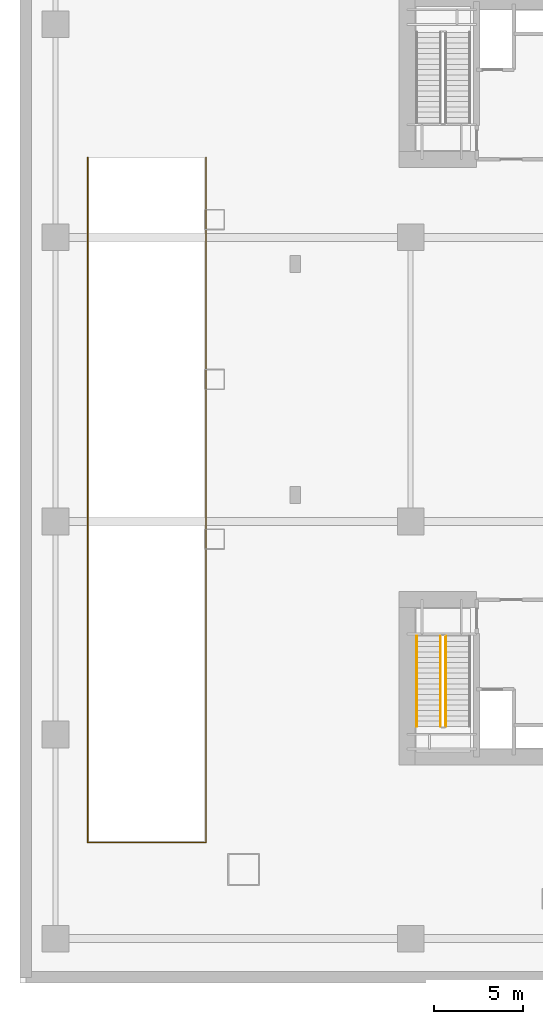
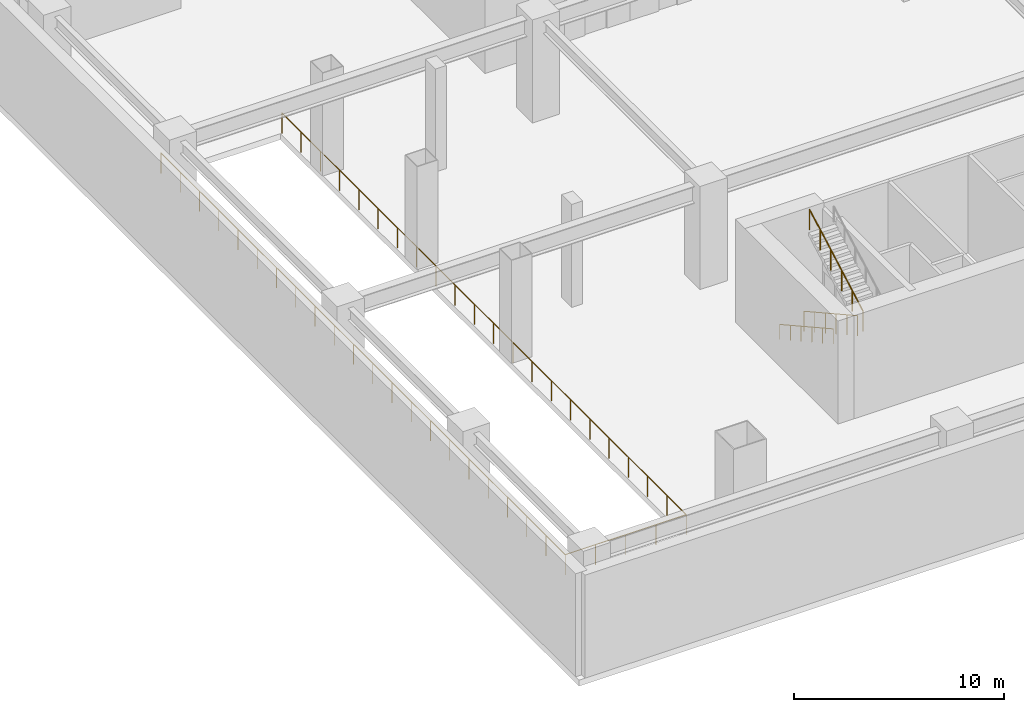
# One storey, part 13 of 20: 4 railings.
"""IFC4 building model written with IfcOpenShell, lengths in metres."""

from ifc_helpers import new_model, si_unit, direction, frame, origin, origin_2d, place, context, subcontext, project, spatial, circle, extrude, material, type_object, element, save


model = new_model("IFC4")

# Units and contexts
model_context = context("Model", 3, precision=1e-05, world=origin(), true_north=direction((0.0, 1.0)))
body_context = subcontext(model_context, "Body", "Model", "MODEL_VIEW")
ifc_project = project(units=[si_unit("LENGTHUNIT", "METRE"), si_unit("AREAUNIT", "SQUARE_METRE"), si_unit("VOLUMEUNIT", "CUBIC_METRE"), si_unit("PLANEANGLEUNIT", "RADIAN"), si_unit("MASSUNIT", "GRAM", prefix="KILO")], contexts=[model_context])

# Site, building, storey
site_placement = place(None, origin())
site = spatial("IfcSite", under=ifc_project, at=site_placement, CompositionType="ELEMENT")
building_placement = place(site_placement, origin())
building = spatial("IfcBuilding", under=site, at=building_placement, Name="Qiaolan Cultural Towers", CompositionType="ELEMENT")
storey_placement = place(building_placement, frame((0.0, 0.0, -6.0)))
storey = spatial("IfcBuildingStorey", under=building, at=storey_placement, Name="B1", CompositionType="ELEMENT", Elevation=-6.0)

# Railings
ifc_material_1 = material(Name="Laminated SentryGlas & Stainless Steel S31608 Balustrade", Category="steel")
railing_type_1 = type_object("IfcRailingType", Name="GRD-TERR-1200", PredefinedType="BALUSTRADE", material=ifc_material_1)
railing_1_placement = place(storey_placement, frame((3.820068359375, 46.5, 0.0)))
element("IfcRailing", 1, at=railing_1_placement, inside=storey, type_object=railing_type_1, Name="B1 Ramp Opening Continuous Guardrail", PredefinedType="BALUSTRADE", context=body_context, shape_type="SweptSolid", body=[
    extrude(circle(Radius=0.02392578125, at=origin_2d()), frame((0.0, 0.0, 1.17578125), z_axis=(0.0, -1.0, 0.0), x_axis=(1.0, 0.0, 0.0)), (0.0, 0.0, 1.0), 38.580078125),
    extrude(circle(Radius=0.02392578125, at=origin_2d()), frame((0.0, -38.580078125, 1.17578125), z_axis=(1.0, 0.0, 0.0), x_axis=(0.0, 1.0, 0.0)), (0.0, 0.0, 1.0), 6.659912109375),
    extrude(circle(Radius=0.02392578125, at=origin_2d()), frame((6.659912109375, -38.580078125, 1.17578125), z_axis=(0.0, 1.0, 0.0), x_axis=(-1.0, 0.0, 0.0)), (0.0, 0.0, 1.0), 38.580078125),
    extrude(circle(Radius=0.02099609375, at=origin_2d()), origin(), (0.0, 0.0, 1.0), 1.15185546875),
    extrude(circle(Radius=0.02099609375, at=origin_2d()), frame((0.0, -1.837158203125, 0.0)), (0.0, 0.0, 1.0), 1.15185546875),
    extrude(circle(Radius=0.02099609375, at=origin_2d()), frame((0.0, -3.67431640625, 0.0)), (0.0, 0.0, 1.0), 1.15185546875),
    extrude(circle(Radius=0.02099609375, at=origin_2d()), frame((0.0, -5.511474609375, 0.0)), (0.0, 0.0, 1.0), 1.15185546875),
    extrude(circle(Radius=0.02099609375, at=origin_2d()), frame((0.0, -7.3486328125, 0.0)), (0.0, 0.0, 1.0), 1.15185546875),
    extrude(circle(Radius=0.02099609375, at=origin_2d()), frame((0.0, -9.185791015625, 0.0)), (0.0, 0.0, 1.0), 1.15185546875),
    extrude(circle(Radius=0.02099609375, at=origin_2d()), frame((0.0, -11.02294921875, 0.0)), (0.0, 0.0, 1.0), 1.15185546875),
    extrude(circle(Radius=0.02099609375, at=origin_2d()), frame((0.0, -12.860107421875, 0.0)), (0.0, 0.0, 1.0), 1.15185546875),
    extrude(circle(Radius=0.02099609375, at=origin_2d()), frame((0.0, -14.697265625, 0.0)), (0.0, 0.0, 1.0), 1.15185546875),
    extrude(circle(Radius=0.02099609375, at=origin_2d()), frame((0.0, -16.534423828125, 0.0)), (0.0, 0.0, 1.0), 1.15185546875),
    extrude(circle(Radius=0.02099609375, at=origin_2d()), frame((0.0, -18.37158203125, 0.0)), (0.0, 0.0, 1.0), 1.15185546875),
    extrude(circle(Radius=0.02099609375, at=origin_2d()), frame((0.0, -20.20849609375, 0.0)), (0.0, 0.0, 1.0), 1.15185546875),
    extrude(circle(Radius=0.02099609375, at=origin_2d()), frame((0.0, -22.045654296875, 0.0)), (0.0, 0.0, 1.0), 1.15185546875),
    extrude(circle(Radius=0.02099609375, at=origin_2d()), frame((0.0, -23.8828125, 0.0)), (0.0, 0.0, 1.0), 1.15185546875),
    extrude(circle(Radius=0.02099609375, at=origin_2d()), frame((0.0, -25.719970703125, 0.0)), (0.0, 0.0, 1.0), 1.15185546875),
    extrude(circle(Radius=0.02099609375, at=origin_2d()), frame((0.0, -27.55712890625, 0.0)), (0.0, 0.0, 1.0), 1.15185546875),
    extrude(circle(Radius=0.02099609375, at=origin_2d()), frame((0.0, -29.394287109375, 0.0)), (0.0, 0.0, 1.0), 1.15185546875),
    extrude(circle(Radius=0.02099609375, at=origin_2d()), frame((0.0, -31.2314453125, 0.0)), (0.0, 0.0, 1.0), 1.15185546875),
    extrude(circle(Radius=0.02099609375, at=origin_2d()), frame((0.0, -33.068603515625, 0.0)), (0.0, 0.0, 1.0), 1.15185546875),
    extrude(circle(Radius=0.02099609375, at=origin_2d()), frame((0.0, -34.90576171875, 0.0)), (0.0, 0.0, 1.0), 1.15185546875),
    extrude(circle(Radius=0.02099609375, at=origin_2d()), frame((0.0, -36.742919921875, 0.0)), (0.0, 0.0, 1.0), 1.15185546875),
    extrude(circle(Radius=0.02099609375, at=origin_2d()), frame((0.0, -38.580078125, 0.0)), (0.0, 0.0, 1.0), 1.15185546875),
    extrude(circle(Radius=0.02099609375, at=origin_2d()), frame((1.6650390625, -38.580078125, 0.0)), (0.0, 0.0, 1.0), 1.15185546875),
    extrude(circle(Radius=0.02099609375, at=origin_2d()), frame((3.330078125, -38.580078125, 0.0)), (0.0, 0.0, 1.0), 1.15185546875),
    extrude(circle(Radius=0.02099609375, at=origin_2d()), frame((4.994873046875, -38.580078125, 0.0)), (0.0, 0.0, 1.0), 1.15185546875),
    extrude(circle(Radius=0.02099609375, at=origin_2d()), frame((6.659912109375, -38.580078125, 0.0)), (0.0, 0.0, 1.0), 1.15185546875),
    extrude(circle(Radius=0.02099609375, at=origin_2d()), frame((6.659912109375, -36.742919921875, 0.0)), (0.0, 0.0, 1.0), 1.15185546875),
    extrude(circle(Radius=0.02099609375, at=origin_2d()), frame((6.659912109375, -34.90576171875, 0.0)), (0.0, 0.0, 1.0), 1.15185546875),
    extrude(circle(Radius=0.02099609375, at=origin_2d()), frame((6.659912109375, -33.068603515625, 0.0)), (0.0, 0.0, 1.0), 1.15185546875),
    extrude(circle(Radius=0.02099609375, at=origin_2d()), frame((6.659912109375, -31.2314453125, 0.0)), (0.0, 0.0, 1.0), 1.15185546875),
    extrude(circle(Radius=0.02099609375, at=origin_2d()), frame((6.659912109375, -29.394287109375, 0.0)), (0.0, 0.0, 1.0), 1.15185546875),
    extrude(circle(Radius=0.02099609375, at=origin_2d()), frame((6.659912109375, -27.55712890625, 0.0)), (0.0, 0.0, 1.0), 1.15185546875),
    extrude(circle(Radius=0.02099609375, at=origin_2d()), frame((6.659912109375, -25.719970703125, 0.0)), (0.0, 0.0, 1.0), 1.15185546875),
    extrude(circle(Radius=0.02099609375, at=origin_2d()), frame((6.659912109375, -23.8828125, 0.0)), (0.0, 0.0, 1.0), 1.15185546875),
    extrude(circle(Radius=0.02099609375, at=origin_2d()), frame((6.659912109375, -22.045654296875, 0.0)), (0.0, 0.0, 1.0), 1.15185546875),
    extrude(circle(Radius=0.02099609375, at=origin_2d()), frame((6.659912109375, -20.20849609375, 0.0)), (0.0, 0.0, 1.0), 1.15185546875),
    extrude(circle(Radius=0.02099609375, at=origin_2d()), frame((6.659912109375, -18.37158203125, 0.0)), (0.0, 0.0, 1.0), 1.15185546875),
    extrude(circle(Radius=0.02099609375, at=origin_2d()), frame((6.659912109375, -16.534423828125, 0.0)), (0.0, 0.0, 1.0), 1.15185546875),
    extrude(circle(Radius=0.02099609375, at=origin_2d()), frame((6.659912109375, -14.697265625, 0.0)), (0.0, 0.0, 1.0), 1.15185546875),
    extrude(circle(Radius=0.02099609375, at=origin_2d()), frame((6.659912109375, -12.860107421875, 0.0)), (0.0, 0.0, 1.0), 1.15185546875),
    extrude(circle(Radius=0.02099609375, at=origin_2d()), frame((6.659912109375, -11.02294921875, 0.0)), (0.0, 0.0, 1.0), 1.15185546875),
    extrude(circle(Radius=0.02099609375, at=origin_2d()), frame((6.659912109375, -9.185791015625, 0.0)), (0.0, 0.0, 1.0), 1.15185546875),
    extrude(circle(Radius=0.02099609375, at=origin_2d()), frame((6.659912109375, -7.3486328125, 0.0)), (0.0, 0.0, 1.0), 1.15185546875),
    extrude(circle(Radius=0.02099609375, at=origin_2d()), frame((6.659912109375, -5.511474609375, 0.0)), (0.0, 0.0, 1.0), 1.15185546875),
    extrude(circle(Radius=0.02099609375, at=origin_2d()), frame((6.659912109375, -3.67431640625, 0.0)), (0.0, 0.0, 1.0), 1.15185546875),
    extrude(circle(Radius=0.02099609375, at=origin_2d()), frame((6.659912109375, -1.837158203125, 0.0)), (0.0, 0.0, 1.0), 1.15185546875),
    extrude(circle(Radius=0.02099609375, at=origin_2d()), frame((6.659912109375, 0.0, 0.0)), (0.0, 0.0, 1.0), 1.15185546875),
])
ifc_material_2 = material(Name="Galvanized Painted Steel Stair Guardrail", Category="steel")
railing_type_2 = type_object("IfcRailingType", Name="RL-STAIR-GRD", PredefinedType="GUARDRAIL", material=ifc_material_2)
railing_2_placement = place(storey_placement, frame((23.68994140625, 19.550048828125, 0.166748046875)))
element("IfcRailing", 2, at=railing_2_placement, inside=storey, type_object=railing_type_2, Name="B1 ST-W1 stair guard 1", PredefinedType="GUARDRAIL", context=body_context, shape_type="SweptSolid", body=[
    extrude(circle(Radius=0.02392578125, at=origin_2d()), frame((0.0, 0.0, 1.17578125), z_axis=(0.0, -0.874167145328, 0.485625166182), x_axis=(1.0, 0.0, 0.0)), (0.0, 0.0, 1.0), 5.834228515625),
    extrude(circle(Radius=0.02099609375, at=origin_2d()), origin(), (0.0, 0.0, 1.0), 1.15185546875),
    extrude(circle(Radius=0.02099609375, at=origin_2d()), frame((0.0, -1.02001953125, 0.566650390625)), (0.0, 0.0, 1.0), 1.15185546875),
    extrude(circle(Radius=0.02099609375, at=origin_2d()), frame((0.0, -2.0400390625, 1.13330078125)), (0.0, 0.0, 1.0), 1.15185546875),
    extrude(circle(Radius=0.02099609375, at=origin_2d()), frame((0.0, -3.06005859375, 1.699951171875)), (0.0, 0.0, 1.0), 1.15185546875),
    extrude(circle(Radius=0.02099609375, at=origin_2d()), frame((0.0, -4.080078125, 2.2666015625)), (0.0, 0.0, 1.0), 1.15185546875),
    extrude(circle(Radius=0.02099609375, at=origin_2d()), frame((0.0, -5.10009765625, 2.833251953125)), (0.0, 0.0, 1.0), 1.15185546875),
])
railing_3_placement = place(storey_placement, frame((23.989990234375, 14.449951171875, 3.166748046875)))
element("IfcRailing", 3, at=railing_3_placement, inside=storey, type_object=railing_type_2, Name="B1 ST-W1 stair guard 3", PredefinedType="GUARDRAIL", context=body_context, shape_type="SweptSolid", body=[
    extrude(circle(Radius=0.02392578125, at=origin_2d()), frame((0.0, 0.0, 1.17578125), z_axis=(0.0, 0.874167145328, 0.485625166182), x_axis=(-1.0, 0.0, 0.0)), (0.0, 0.0, 1.0), 5.834228515625),
    extrude(circle(Radius=0.02099609375, at=origin_2d()), origin(), (0.0, 0.0, 1.0), 1.15185546875),
    extrude(circle(Radius=0.02099609375, at=origin_2d()), frame((0.0, 1.02001953125, 0.566650390625)), (0.0, 0.0, 1.0), 1.15185546875),
    extrude(circle(Radius=0.02099609375, at=origin_2d()), frame((0.0, 2.0400390625, 1.13330078125)), (0.0, 0.0, 1.0), 1.15185546875),
    extrude(circle(Radius=0.02099609375, at=origin_2d()), frame((0.0, 3.06005859375, 1.699951171875)), (0.0, 0.0, 1.0), 1.15185546875),
    extrude(circle(Radius=0.02099609375, at=origin_2d()), frame((0.0, 4.080078125, 2.2666015625)), (0.0, 0.0, 1.0), 1.15185546875),
    extrude(circle(Radius=0.02099609375, at=origin_2d()), frame((0.0, 5.10009765625, 2.833251953125)), (0.0, 0.0, 1.0), 1.15185546875),
])
ifc_material_3 = material(Name="Stainless Steel S30408 Tubular Handrail", Category="steel")
railing_type_3 = type_object("IfcRailingType", Name="RL-STAIR-HR", PredefinedType="HANDRAIL", material=ifc_material_3)
railing_4_placement = place(storey_placement, frame((22.35009765625, 19.550048828125, 0.166748046875)))
element("IfcRailing", 4, at=railing_4_placement, inside=storey, type_object=railing_type_3, Name="B1 ST-W1 stair handrail 1", PredefinedType="HANDRAIL", context=body_context, shape_type="SweptSolid", body=[
    extrude(circle(Radius=0.02392578125, at=origin_2d()), frame((0.0, 0.0, 0.8759765625), z_axis=(0.0, -0.874167145328, 0.485625166182), x_axis=(1.0, 0.0, 0.0)), (0.0, 0.0, 1.0), 5.834228515625),
    extrude(circle(Radius=0.02099609375, at=origin_2d()), origin(), (0.0, 0.0, 1.0), 0.851806640625),
    extrude(circle(Radius=0.02099609375, at=origin_2d()), frame((0.0, -1.02001953125, 0.566650390625)), (0.0, 0.0, 1.0), 0.851806640625),
    extrude(circle(Radius=0.02099609375, at=origin_2d()), frame((0.0, -2.0400390625, 1.13330078125)), (0.0, 0.0, 1.0), 0.851806640625),
    extrude(circle(Radius=0.02099609375, at=origin_2d()), frame((0.0, -3.06005859375, 1.699951171875)), (0.0, 0.0, 1.0), 0.851806640625),
    extrude(circle(Radius=0.02099609375, at=origin_2d()), frame((0.0, -4.080078125, 2.2666015625)), (0.0, 0.0, 1.0), 0.851806640625),
    extrude(circle(Radius=0.02099609375, at=origin_2d()), frame((0.0, -5.10009765625, 2.833251953125)), (0.0, 0.0, 1.0), 0.851806640625),
])

save(model, "model.ifc")
